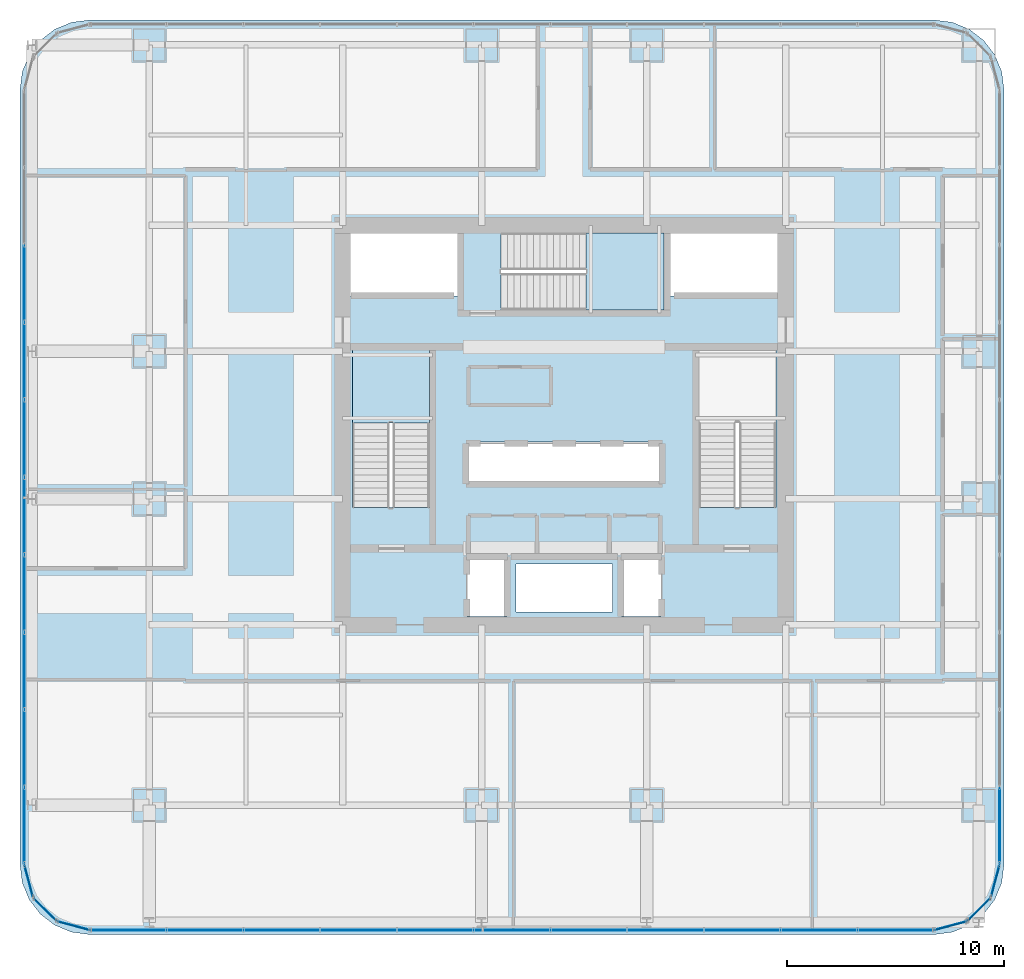
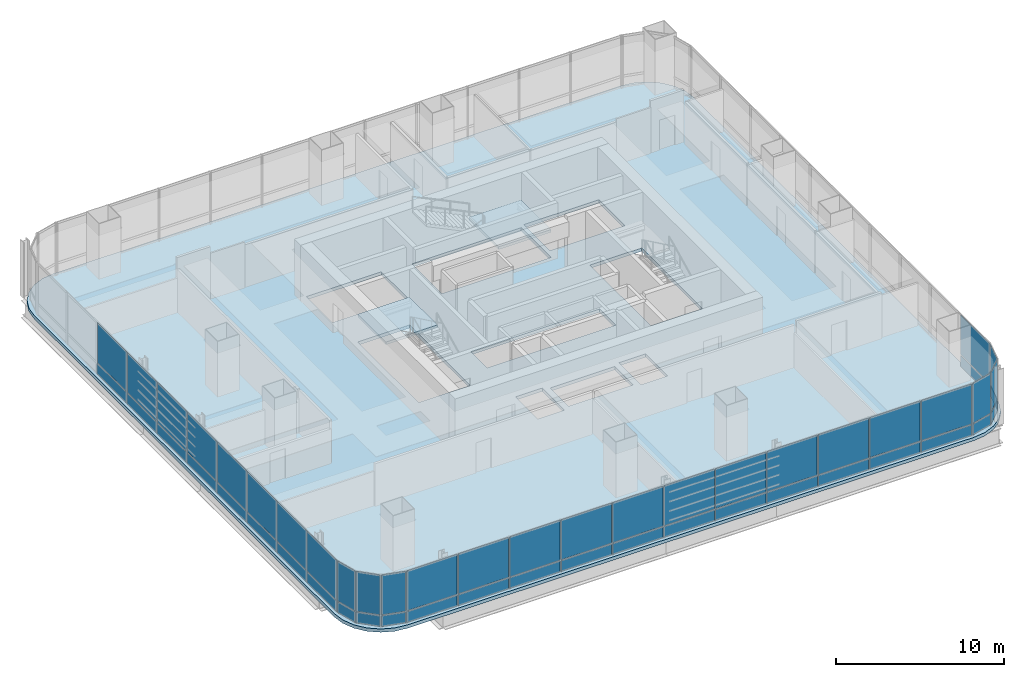
# One storey, part 26 of 36: 52 plates, 3 slabs, 11 elements without a shape of their own.
"""IFC4 building model written with IfcOpenShell, lengths in metres."""

import ifcopenshell
import ifcopenshell.guid

model = None  # the IFC model being written
_history = None  # IfcOwnerHistory: only IFC2X3 demands one
_inside = {}  # id of a spatial element -> (the spatial element, [elements in it])
_under = {}  # id of a project, library or spatial element -> (it, [spatial elements below it])
_declared = {}  # id of a project -> (the project, [libraries it declares])
_typed = {}  # id of a type object -> (the type object, [elements of that type])
_made_of = {}  # id of a material, layer set ... -> (it, [elements and type objects made of it])


def new_model(schema):
    """Start an empty IFC model of exactly this schema.

    Asked for "IFC4X3", IfcOpenShell would pick the latest addendum, in which some entities
    have other attributes; the version numbers below select the first issue.
    IFC2X3 requires an IfcOwnerHistory on every rooted entity: one is made here for all.
    """
    global model, _history
    if schema == "IFC4X3":
        model = ifcopenshell.file(schema_version=(4, 3, 0, 0))
    else:
        model = ifcopenshell.file(schema=schema)
    _inside.clear()
    _under.clear()
    _declared.clear()
    _typed.clear()
    _made_of.clear()
    _history = None
    if model.schema == "IFC2X3":
        org = make("IfcOrganization", Name="unknown")
        user = make(
            "IfcPersonAndOrganization",
            ThePerson=make("IfcPerson", FamilyName="unknown"),
            TheOrganization=org,
        )
        app = make(
            "IfcApplication",
            ApplicationDeveloper=org,
            Version="unknown",
            ApplicationFullName="unknown",
            ApplicationIdentifier="unknown",
        )
        _history = make(
            "IfcOwnerHistory",
            OwningUser=user,
            OwningApplication=app,
            ChangeAction="ADDED",
            CreationDate=0,
        )
    return model


def make(cls, **values):
    """One entity of the class cls with the attributes given. An attribute that is None is left unset."""
    return model.create_entity(
        cls, **{name: value for name, value in values.items() if value is not None}
    )


def rooted(cls, **values):
    """An entity with a GlobalId (a new one), such as an element, a storey or a relation."""
    return make(cls, GlobalId=ifcopenshell.guid.new(), OwnerHistory=_history, **values)


def si_unit(unit_type, name, prefix=None):
    """IfcSIUnit, for example si_unit("LENGTHUNIT", "METRE", prefix="MILLI")."""
    return make("IfcSIUnit", UnitType=unit_type, Prefix=prefix, Name=name)


def assignment(units):
    """IfcUnitAssignment: the units of a project."""
    return None if units is None else make("IfcUnitAssignment", Units=units)


def point(xyz):
    """IfcCartesianPoint."""
    return None if xyz is None else make("IfcCartesianPoint", Coordinates=xyz)


def direction(xyz):
    """IfcDirection."""
    return None if xyz is None else make("IfcDirection", DirectionRatios=xyz)


def frame(location, z_axis=None, x_axis=None):
    """IfcAxis2Placement3D, a coordinate frame: its origin and axes. An axis left out is left unset."""
    return make(
        "IfcAxis2Placement3D",
        Location=point(location),
        Axis=direction(z_axis),
        RefDirection=direction(x_axis),
    )


def frame_2d(location, x_axis=None):
    """IfcAxis2Placement2D, a coordinate frame in the plane: its origin and x axis."""
    return make(
        "IfcAxis2Placement2D", Location=point(location), RefDirection=direction(x_axis)
    )


def origin():
    """The frame at (0, 0, 0) with its axes left unset."""
    return frame((0.0, 0.0, 0.0))


def origin_2d():
    """The frame at (0, 0) in the plane with its x axis left unset."""
    return frame_2d((0.0, 0.0))


def place(relative_to, where):
    """IfcLocalPlacement: puts the frame where relative to a parent placement (None: the world)."""
    return make(
        "IfcLocalPlacement", PlacementRelTo=relative_to, RelativePlacement=where
    )


def context(
    kind, dimensions, precision=None, world=None, true_north=None, identifier=None
):
    """IfcGeometricRepresentationContext, for example the 3D "Model" context."""
    return make(
        "IfcGeometricRepresentationContext",
        ContextIdentifier=identifier,
        ContextType=kind,
        CoordinateSpaceDimension=dimensions,
        Precision=precision,
        WorldCoordinateSystem=world,
        TrueNorth=true_north,
    )


def subcontext(parent, identifier, kind, view, scale=None):
    """IfcGeometricRepresentationSubContext, for example "Body" below "Model"."""
    return make(
        "IfcGeometricRepresentationSubContext",
        ContextIdentifier=identifier,
        ContextType=kind,
        ParentContext=parent,
        TargetScale=scale,
        TargetView=view,
    )


def project(units=None, contexts=None):
    """IfcProject with its units and contexts."""
    return rooted(
        "IfcProject",
        Name="project",
        RepresentationContexts=contexts,
        UnitsInContext=assignment(units),
    )


def spatial(cls, under=None, at=None, **own):
    """A site, building, storey or space (cls), placed at a placement, below another one or the project."""
    s = rooted(cls, ObjectPlacement=at, **own)
    if under is not None:
        _under.setdefault(under.id(), (under, []))[1].append(s)
    return s


def polyline(points):
    """IfcPolyline through the points."""
    return make("IfcPolyline", Points=[point(p) for p in points])


def profile(cls, at=None, kind="AREA", **sizes):
    """A parametric profile (cls). Its sizes go by their IFC names, for example OverallWidth=200.0."""
    return make(cls, ProfileType=kind, Position=at, **sizes)


def rectangle(**sizes):
    """IfcRectangleProfileDef."""
    return profile("IfcRectangleProfileDef", **sizes)


def outline(outer, holes=None, kind="AREA"):
    """IfcArbitraryClosedProfileDef: a profile drawn as a closed curve; with holes, ...WithVoids."""
    if holes is None:
        return make("IfcArbitraryClosedProfileDef", ProfileType=kind, OuterCurve=outer)
    return make(
        "IfcArbitraryProfileDefWithVoids",
        ProfileType=kind,
        OuterCurve=outer,
        InnerCurves=holes,
    )


def extrude(swept, where, along, depth):
    """IfcExtrudedAreaSolid: the profile swept, set in the frame where, extruded along a direction by depth."""
    return make(
        "IfcExtrudedAreaSolid",
        SweptArea=swept,
        Position=where,
        ExtrudedDirection=direction(along),
        Depth=depth,
    )


def shape(context_of_items, identifier, shape_type, items):
    """IfcShapeRepresentation: the items that make up one representation, for example the "Body"."""
    return make(
        "IfcShapeRepresentation",
        ContextOfItems=context_of_items,
        RepresentationIdentifier=identifier,
        RepresentationType=shape_type,
        Items=items,
    )


def material(Name=None, Category=None):
    """IfcMaterial."""
    return make("IfcMaterial", Name=Name, Category=Category)


def layer(
    of_material, thickness, ventilated=None, Name=None, Category=None, Priority=None
):
    """IfcMaterialLayer: one layer of a wall or slab, of a material (None: an air gap)."""
    return make(
        "IfcMaterialLayer",
        Material=of_material,
        LayerThickness=thickness,
        IsVentilated=ventilated,
        Name=Name,
        Category=Category,
        Priority=Priority,
    )


def layer_set(layers, Name=None):
    """IfcMaterialLayerSet."""
    return make("IfcMaterialLayerSet", MaterialLayers=layers, LayerSetName=Name)


def made_of(thing, what):
    """Note that an element or type object is made of a material, layer set ...; save() writes the relation."""
    if what is not None:
        _made_of.setdefault(what.id(), (what, []))[1].append(thing)
    return thing


def type_object(cls, material=None, **own):
    """A type object (cls), such as IfcWallType, which elements share."""
    return made_of(rooted(cls, **own), material)


def element(
    cls,
    number,
    at=None,
    inside=None,
    cuts=None,
    type_object=None,
    material=None,
    context=None,
    identifier="Body",
    shape_type=None,
    held_by="IfcProductDefinitionShape",
    body=None,
    shapes=None,
    **own,
):
    """One element of the class cls, such as IfcWall. Its Tag is "e" and its number.

    at: its placement. inside: the storey or other place that contains it. cuts: it is an
    opening in that element (IfcRelVoidsElement). A single representation is given by context,
    identifier, shape_type and body (its items); several are given by shapes. held_by: the class
    of the entity that holds the representations. save() writes the other relations.
    """
    e = rooted(cls, Tag="e%d" % number, ObjectPlacement=at, **own)
    if body is not None:
        shapes = [shape(context, identifier, shape_type, body)]
    if shapes is not None:
        e.Representation = make(held_by, Representations=shapes)
    if inside is not None:
        _inside.setdefault(inside.id(), (inside, []))[1].append(e)
    if cuts is not None:
        rooted(
            "IfcRelVoidsElement", RelatingBuildingElement=cuts, RelatedOpeningElement=e
        )
    if type_object is not None:
        _typed.setdefault(type_object.id(), (type_object, []))[1].append(e)
    return made_of(e, material)


def aggregate(whole, parts):
    """IfcRelAggregates: a whole, such as a stair, and the parts it consists of."""
    return rooted("IfcRelAggregates", RelatingObject=whole, RelatedObjects=parts)


def save(model, path):
    """Write the relations noted so far, then the file.

    IfcRelAggregates (storeys below a building ...), IfcRelContainedInSpatialStructure (elements
    in a storey), IfcRelDefinesByType, IfcRelAssociatesMaterial and IfcRelDeclares: one each for
    every whole, place, type object, material and project.
    """
    for whole, parts in _under.values():
        aggregate(whole, parts)
    for where, things in _inside.values():
        rooted(
            "IfcRelContainedInSpatialStructure",
            RelatedElements=things,
            RelatingStructure=where,
        )
    for kind, things in _typed.values():
        rooted("IfcRelDefinesByType", RelatedObjects=things, RelatingType=kind)
    for what, things in _made_of.values():
        rooted("IfcRelAssociatesMaterial", RelatedObjects=things, RelatingMaterial=what)
    for by, libraries in _declared.values():
        rooted("IfcRelDeclares", RelatingContext=by, RelatedDefinitions=libraries)
    model.write(path)


model = new_model("IFC4")

# Units and contexts
model_context = context("Model", 3, precision=1e-05, world=origin(), true_north=direction((0.0, 1.0)))
body_context = subcontext(model_context, "Body", "Model", "MODEL_VIEW")
ifc_project = project(units=[si_unit("LENGTHUNIT", "METRE"), si_unit("AREAUNIT", "SQUARE_METRE"), si_unit("VOLUMEUNIT", "CUBIC_METRE"), si_unit("PLANEANGLEUNIT", "RADIAN"), si_unit("MASSUNIT", "GRAM", prefix="KILO")], contexts=[model_context])

# Site, building, storey
site_placement = place(None, origin())
site = spatial("IfcSite", under=ifc_project, at=site_placement, CompositionType="ELEMENT")
building_placement = place(site_placement, origin())
building = spatial("IfcBuilding", under=site, at=building_placement, Name="Punatoya Terracotta Tower", CompositionType="ELEMENT")
storey_placement = place(building_placement, frame((0.0, 0.0, 36.300048828125)))
storey = spatial("IfcBuildingStorey", under=building, at=storey_placement, Name="L07", CompositionType="ELEMENT", Elevation=36.300048828125)

# Curtain wall, plates
ifc_material_1 = material(Name="Aluminium 6063-T6 + Double Low-E Glass", Category="aluminium")
curtain_wall_type = type_object("IfcCurtainWallType", Name="CW-M1", PredefinedType="NOTDEFINED", material=ifc_material_1)
curtain_wall_1_placement = place(storey_placement, origin())
curtain_wall_1 = element("IfcCurtainWall", 1, at=curtain_wall_1_placement, inside=storey, type_object=curtain_wall_type, Name="L07 Curtain Wall CW-L07-S01-1", PredefinedType="NOTDEFINED")
ifc_material_2 = material(Name="Double Low-E Clear Vision Glass", Category="glass")
ifc_layer_1 = layer(ifc_material_2, 0.028076171875)
ifc_layer_set_1 = layer_set([ifc_layer_1], Name="Double Low-E Clear Vision Glass")
plate_type_1 = type_object("IfcPlateType", Name="PLT-GLZ-28", PredefinedType="CURTAIN_PANEL", material=ifc_layer_set_1)
plate_1_placement = place(storey_placement, frame((-20.06982421875, -23.25, 0.889892578125), z_axis=(0.0, 0.0, 1.0), x_axis=(1.0, 0.0, 0.0)))
plate_1 = element("IfcPlate", 2, at=plate_1_placement, type_object=plate_type_1, Name="CW-L07-S01-1 Vision Glass Panel 1", PredefinedType="CURTAIN_PANEL", context=body_context, shape_type="SweptSolid", body=[
    extrude(rectangle(XDim=3.448974609375, YDim=0.028076171875, at=origin_2d()), origin(), (0.0, 0.0, 1.0), 2.8798828125),
])
plate_2_placement = place(storey_placement, frame((-16.535888671875, -23.25, 0.889892578125), z_axis=(0.0, 0.0, 1.0), x_axis=(1.0, 0.0, 0.0)))
plate_2 = element("IfcPlate", 3, at=plate_2_placement, type_object=plate_type_1, Name="CW-L07-S01-1 Vision Glass Panel 2", PredefinedType="CURTAIN_PANEL", context=body_context, shape_type="SweptSolid", body=[
    extrude(rectangle(XDim=3.448974609375, YDim=0.028076171875, at=origin_2d()), origin(), (0.0, 0.0, 1.0), 2.8798828125),
])
plate_3_placement = place(storey_placement, frame((-13.001953125, -23.25, 0.889892578125), z_axis=(0.0, 0.0, 1.0), x_axis=(1.0, 0.0, 0.0)))
plate_3 = element("IfcPlate", 4, at=plate_3_placement, type_object=plate_type_1, Name="CW-L07-S01-1 Vision Glass Panel 3", PredefinedType="CURTAIN_PANEL", context=body_context, shape_type="SweptSolid", body=[
    extrude(rectangle(XDim=3.448974609375, YDim=0.028076171875, at=origin_2d()), origin(), (0.0, 0.0, 1.0), 2.8798828125),
])
plate_4_placement = place(storey_placement, frame((-9.468017578125, -23.25, 0.889892578125), z_axis=(0.0, 0.0, 1.0), x_axis=(1.0, 0.0, 0.0)))
plate_4 = element("IfcPlate", 5, at=plate_4_placement, type_object=plate_type_1, Name="CW-L07-S01-1 Vision Glass Panel 4", PredefinedType="CURTAIN_PANEL", context=body_context, shape_type="SweptSolid", body=[
    extrude(rectangle(XDim=3.448974609375, YDim=0.028076171875, at=origin_2d()), origin(), (0.0, 0.0, 1.0), 2.8798828125),
])
plate_5_placement = place(storey_placement, frame((-5.93408203125, -23.25, 0.889892578125), z_axis=(0.0, 0.0, 1.0), x_axis=(1.0, 0.0, 0.0)))
plate_5 = element("IfcPlate", 6, at=plate_5_placement, type_object=plate_type_1, Name="CW-L07-S01-1 Vision Glass Panel 5", PredefinedType="CURTAIN_PANEL", context=body_context, shape_type="SweptSolid", body=[
    extrude(rectangle(XDim=3.448974609375, YDim=0.028076171875, at=origin_2d()), origin(), (0.0, 0.0, 1.0), 2.8798828125),
])
plate_6_placement = place(storey_placement, frame((-2.39990234375, -23.25, 0.889892578125), z_axis=(0.0, 0.0, 1.0), x_axis=(1.0, 0.0, 0.0)))
plate_6 = element("IfcPlate", 7, at=plate_6_placement, type_object=plate_type_1, Name="CW-L07-S01-1 Vision Glass Panel 6", PredefinedType="CURTAIN_PANEL", context=body_context, shape_type="SweptSolid", body=[
    extrude(rectangle(XDim=3.448974609375, YDim=0.028076171875, at=origin_2d()), origin(), (0.0, 0.0, 1.0), 2.8798828125),
])
plate_7_placement = place(storey_placement, frame((1.134033203125, -23.25, 0.889892578125), z_axis=(0.0, 0.0, 1.0), x_axis=(1.0, 0.0, 0.0)))
plate_7 = element("IfcPlate", 8, at=plate_7_placement, type_object=plate_type_1, Name="CW-L07-S01-1 Vision Glass Panel 7", PredefinedType="CURTAIN_PANEL", context=body_context, shape_type="SweptSolid", body=[
    extrude(rectangle(XDim=3.448974609375, YDim=0.028076171875, at=origin_2d()), origin(), (0.0, 0.0, 1.0), 2.8798828125),
])
plate_8_placement = place(storey_placement, frame((4.66796875, -23.25, 0.889892578125), z_axis=(0.0, 0.0, 1.0), x_axis=(1.0, 0.0, 0.0)))
plate_8 = element("IfcPlate", 9, at=plate_8_placement, type_object=plate_type_1, Name="CW-L07-S01-1 Vision Glass Panel 8", PredefinedType="CURTAIN_PANEL", context=body_context, shape_type="SweptSolid", body=[
    extrude(rectangle(XDim=3.448974609375, YDim=0.028076171875, at=origin_2d()), origin(), (0.0, 0.0, 1.0), 2.8798828125),
])
plate_9_placement = place(storey_placement, frame((8.201904296875, -23.25, 0.889892578125), z_axis=(0.0, 0.0, 1.0), x_axis=(1.0, 0.0, 0.0)))
plate_9 = element("IfcPlate", 10, at=plate_9_placement, type_object=plate_type_1, Name="CW-L07-S01-1 Vision Glass Panel 9", PredefinedType="CURTAIN_PANEL", context=body_context, shape_type="SweptSolid", body=[
    extrude(rectangle(XDim=3.448974609375, YDim=0.028076171875, at=origin_2d()), origin(), (0.0, 0.0, 1.0), 2.8798828125),
])
plate_10_placement = place(storey_placement, frame((11.73583984375, -23.25, 0.889892578125), z_axis=(0.0, 0.0, 1.0), x_axis=(1.0, 0.0, 0.0)))
plate_10 = element("IfcPlate", 11, at=plate_10_placement, type_object=plate_type_1, Name="CW-L07-S01-1 Vision Glass Panel 10", PredefinedType="CURTAIN_PANEL", context=body_context, shape_type="SweptSolid", body=[
    extrude(rectangle(XDim=3.448974609375, YDim=0.028076171875, at=origin_2d()), origin(), (0.0, 0.0, 1.0), 2.8798828125),
])
plate_11_placement = place(storey_placement, frame((15.27001953125, -23.25, 0.889892578125), z_axis=(0.0, 0.0, 1.0), x_axis=(1.0, 0.0, 0.0)))
plate_11 = element("IfcPlate", 12, at=plate_11_placement, type_object=plate_type_1, Name="CW-L07-S01-1 Vision Glass Panel 11", PredefinedType="CURTAIN_PANEL", context=body_context, shape_type="SweptSolid", body=[
    extrude(rectangle(XDim=3.448974609375, YDim=0.028076171875, at=origin_2d()), origin(), (0.0, 0.0, 1.0), 2.8798828125),
])

# Curtain wall, plate
curtain_wall_2_placement = place(storey_placement, origin())
curtain_wall_2 = element("IfcCurtainWall", 13, at=curtain_wall_2_placement, inside=storey, type_object=curtain_wall_type, Name="L07 Curtain Wall CW-L07-CRN02", PredefinedType="NOTDEFINED")
plate_12_placement = place(storey_placement, frame((17.79296875, -23.04833984375, 0.889892578125), z_axis=(0.0, 0.0, 1.0), x_axis=(0.966213877436, 0.257741620719, 0.0)))
plate_12 = element("IfcPlate", 14, at=plate_12_placement, type_object=plate_type_1, Name="CW-L07-CRN02 Vision Glass Panel 1", PredefinedType="CURTAIN_PANEL", context=body_context, shape_type="SweptSolid", body=[
    extrude(rectangle(XDim=1.47998046875, YDim=0.028076171875, at=origin_2d()), origin(), (0.0, 0.0, 1.0), 2.8798828125),
])

curtain_wall_3_placement = place(storey_placement, origin())
curtain_wall_3 = element("IfcCurtainWall", 15, at=curtain_wall_3_placement, inside=storey, type_object=curtain_wall_type, Name="L07 Curtain Wall CW-L07-CRN03", PredefinedType="NOTDEFINED")
plate_13_placement = place(storey_placement, frame((19.097900390625, -22.2978515625, 0.889892578125), z_axis=(0.0, 0.0, 1.0), x_axis=(0.707106781187, 0.707106781187, 0.0)))
plate_13 = element("IfcPlate", 16, at=plate_13_placement, type_object=plate_type_1, Name="CW-L07-CRN03 Vision Glass Panel 1", PredefinedType="CURTAIN_PANEL", context=body_context, shape_type="SweptSolid", body=[
    extrude(rectangle(XDim=1.467041015625, YDim=0.028076171875, at=origin_2d()), origin(), (0.0, 0.0, 1.0), 2.8798828125),
])

curtain_wall_4_placement = place(storey_placement, origin())
curtain_wall_4 = element("IfcCurtainWall", 17, at=curtain_wall_4_placement, inside=storey, type_object=curtain_wall_type, Name="L07 Curtain Wall CW-L07-CRN04", PredefinedType="NOTDEFINED")
plate_14_placement = place(storey_placement, frame((19.848388671875, -20.992919921875, 0.889892578125), z_axis=(0.0, 0.0, 1.0), x_axis=(0.257741620719, 0.966213877436, 0.0)))
plate_14 = element("IfcPlate", 18, at=plate_14_placement, type_object=plate_type_1, Name="CW-L07-CRN04 Vision Glass Panel 1", PredefinedType="CURTAIN_PANEL", context=body_context, shape_type="SweptSolid", body=[
    extrude(rectangle(XDim=1.47998046875, YDim=0.028076171875, at=origin_2d()), origin(), (0.0, 0.0, 1.0), 2.8798828125),
])

curtain_wall_5_placement = place(storey_placement, origin())
curtain_wall_5 = element("IfcCurtainWall", 19, at=curtain_wall_5_placement, inside=storey, type_object=curtain_wall_type, Name="L07 Curtain Wall CW-L07-E05-1", PredefinedType="NOTDEFINED")
plate_15_placement = place(storey_placement, frame((20.050048828125, -18.453125, 0.889892578125), z_axis=(0.0, 0.0, 1.0), x_axis=(0.0, 1.0, 0.0)))
plate_15 = element("IfcPlate", 20, at=plate_15_placement, type_object=plate_type_1, Name="CW-L07-E05-1 Vision Glass Panel 1", PredefinedType="CURTAIN_PANEL", context=body_context, shape_type="SweptSolid", body=[
    extrude(rectangle(XDim=3.482421875, YDim=0.028076171875, at=origin_2d()), origin(), (0.0, 0.0, 1.0), 2.8798828125),
])

# Curtain wall, plates
curtain_wall_6_placement = place(storey_placement, origin())
curtain_wall_6 = element("IfcCurtainWall", 21, at=curtain_wall_6_placement, inside=storey, type_object=curtain_wall_type, Name="L07 Curtain Wall CW-L07-W13-1", PredefinedType="NOTDEFINED")
plate_16_placement = place(storey_placement, frame((-24.85009765625, 6.518310546875, 0.889892578125), z_axis=(0.0, 0.0, 1.0), x_axis=(0.0, -1.0, 0.0)))
plate_16 = element("IfcPlate", 22, at=plate_16_placement, type_object=plate_type_1, Name="CW-L07-W13-1 Vision Glass Panel 3", PredefinedType="CURTAIN_PANEL", context=body_context, shape_type="SweptSolid", body=[
    extrude(rectangle(XDim=3.482421875, YDim=0.028076171875, at=origin_2d()), origin(), (0.0, 0.0, 1.0), 2.8798828125),
])
plate_17_placement = place(storey_placement, frame((-24.85009765625, 2.951171875, 0.889892578125), z_axis=(0.0, 0.0, 1.0), x_axis=(0.0, -1.0, 0.0)))
plate_17 = element("IfcPlate", 23, at=plate_17_placement, type_object=plate_type_1, Name="CW-L07-W13-1 Vision Glass Panel 4", PredefinedType="CURTAIN_PANEL", context=body_context, shape_type="SweptSolid", body=[
    extrude(rectangle(XDim=3.482421875, YDim=0.028076171875, at=origin_2d()), origin(), (0.0, 0.0, 1.0), 2.8798828125),
])
plate_18_placement = place(storey_placement, frame((-24.85009765625, -0.6162109375, 0.889892578125), z_axis=(0.0, 0.0, 1.0), x_axis=(0.0, -1.0, 0.0)))
plate_18 = element("IfcPlate", 24, at=plate_18_placement, type_object=plate_type_1, Name="CW-L07-W13-1 Vision Glass Panel 5", PredefinedType="CURTAIN_PANEL", context=body_context, shape_type="SweptSolid", body=[
    extrude(rectangle(XDim=3.482421875, YDim=0.028076171875, at=origin_2d()), origin(), (0.0, 0.0, 1.0), 2.8798828125),
])
plate_19_placement = place(storey_placement, frame((-24.85009765625, -4.18359375, 0.889892578125), z_axis=(0.0, 0.0, 1.0), x_axis=(0.0, -1.0, 0.0)))
plate_19 = element("IfcPlate", 25, at=plate_19_placement, type_object=plate_type_1, Name="CW-L07-W13-1 Vision Glass Panel 6", PredefinedType="CURTAIN_PANEL", context=body_context, shape_type="SweptSolid", body=[
    extrude(rectangle(XDim=3.482421875, YDim=0.028076171875, at=origin_2d()), origin(), (0.0, 0.0, 1.0), 2.8798828125),
])
plate_20_placement = place(storey_placement, frame((-24.85009765625, -7.751220703125, 0.889892578125), z_axis=(0.0, 0.0, 1.0), x_axis=(0.0, -1.0, 0.0)))
plate_20 = element("IfcPlate", 26, at=plate_20_placement, type_object=plate_type_1, Name="CW-L07-W13-1 Vision Glass Panel 7", PredefinedType="CURTAIN_PANEL", context=body_context, shape_type="SweptSolid", body=[
    extrude(rectangle(XDim=3.482421875, YDim=0.028076171875, at=origin_2d()), origin(), (0.0, 0.0, 1.0), 2.8798828125),
])
plate_21_placement = place(storey_placement, frame((-24.85009765625, -11.318359375, 0.889892578125), z_axis=(0.0, 0.0, 1.0), x_axis=(0.0, -1.0, 0.0)))
plate_21 = element("IfcPlate", 27, at=plate_21_placement, type_object=plate_type_1, Name="CW-L07-W13-1 Vision Glass Panel 8", PredefinedType="CURTAIN_PANEL", context=body_context, shape_type="SweptSolid", body=[
    extrude(rectangle(XDim=3.482421875, YDim=0.028076171875, at=origin_2d()), origin(), (0.0, 0.0, 1.0), 2.8798828125),
])
plate_22_placement = place(storey_placement, frame((-24.85009765625, -14.8857421875, 0.889892578125), z_axis=(0.0, 0.0, 1.0), x_axis=(0.0, -1.0, 0.0)))
plate_22 = element("IfcPlate", 28, at=plate_22_placement, type_object=plate_type_1, Name="CW-L07-W13-1 Vision Glass Panel 9", PredefinedType="CURTAIN_PANEL", context=body_context, shape_type="SweptSolid", body=[
    extrude(rectangle(XDim=3.482421875, YDim=0.028076171875, at=origin_2d()), origin(), (0.0, 0.0, 1.0), 2.8798828125),
])
plate_23_placement = place(storey_placement, frame((-24.85009765625, -18.453125, 0.889892578125), z_axis=(0.0, 0.0, 1.0), x_axis=(0.0, -1.0, 0.0)))
plate_23 = element("IfcPlate", 29, at=plate_23_placement, type_object=plate_type_1, Name="CW-L07-W13-1 Vision Glass Panel 10", PredefinedType="CURTAIN_PANEL", context=body_context, shape_type="SweptSolid", body=[
    extrude(rectangle(XDim=3.482421875, YDim=0.028076171875, at=origin_2d()), origin(), (0.0, 0.0, 1.0), 2.8798828125),
])

# Curtain wall, plate
curtain_wall_7_placement = place(storey_placement, origin())
curtain_wall_7 = element("IfcCurtainWall", 30, at=curtain_wall_7_placement, inside=storey, type_object=curtain_wall_type, Name="L07 Curtain Wall CW-L07-CRN14", PredefinedType="NOTDEFINED")
plate_24_placement = place(storey_placement, frame((-24.648193359375, -20.992919921875, 0.889892578125), z_axis=(0.0, 0.0, 1.0), x_axis=(0.257741620719, -0.966213877436, 0.0)))
plate_24 = element("IfcPlate", 31, at=plate_24_placement, type_object=plate_type_1, Name="CW-L07-CRN14 Vision Glass Panel 1", PredefinedType="CURTAIN_PANEL", context=body_context, shape_type="SweptSolid", body=[
    extrude(rectangle(XDim=1.47998046875, YDim=0.028076171875, at=origin_2d()), origin(), (0.0, 0.0, 1.0), 2.8798828125),
])

curtain_wall_8_placement = place(storey_placement, origin())
curtain_wall_8 = element("IfcCurtainWall", 32, at=curtain_wall_8_placement, inside=storey, type_object=curtain_wall_type, Name="L07 Curtain Wall CW-L07-CRN15", PredefinedType="NOTDEFINED")
plate_25_placement = place(storey_placement, frame((-23.89794921875, -22.2978515625, 0.889892578125), z_axis=(0.0, 0.0, 1.0), x_axis=(0.707106781187, -0.707106781187, 0.0)))
plate_25 = element("IfcPlate", 33, at=plate_25_placement, type_object=plate_type_1, Name="CW-L07-CRN15 Vision Glass Panel 1", PredefinedType="CURTAIN_PANEL", context=body_context, shape_type="SweptSolid", body=[
    extrude(rectangle(XDim=1.467041015625, YDim=0.028076171875, at=origin_2d()), origin(), (0.0, 0.0, 1.0), 2.8798828125),
])

curtain_wall_9_placement = place(storey_placement, origin())
curtain_wall_9 = element("IfcCurtainWall", 34, at=curtain_wall_9_placement, inside=storey, type_object=curtain_wall_type, Name="L07 Curtain Wall CW-L07-CRN16", PredefinedType="NOTDEFINED")
plate_26_placement = place(storey_placement, frame((-22.593017578125, -23.04833984375, 0.889892578125), z_axis=(0.0, 0.0, 1.0), x_axis=(0.966213877436, -0.257741620719, 0.0)))
plate_26 = element("IfcPlate", 35, at=plate_26_placement, type_object=plate_type_1, Name="CW-L07-CRN16 Vision Glass Panel 1", PredefinedType="CURTAIN_PANEL", context=body_context, shape_type="SweptSolid", body=[
    extrude(rectangle(XDim=1.47998046875, YDim=0.028076171875, at=origin_2d()), origin(), (0.0, 0.0, 1.0), 2.8798828125),
])

# Plate
ifc_material_3 = material(Name="Insulated Terracotta-Backed Spandrel Panel", Category="masonry")
ifc_layer_2 = layer(ifc_material_3, 0.044921875)
ifc_layer_set_2 = layer_set([ifc_layer_2], Name="Insulated Terracotta-Backed Spandrel Panel")
plate_type_2 = type_object("IfcPlateType", Name="PLT-SPN-45", PredefinedType="CURTAIN_PANEL", material=ifc_layer_set_2)
plate_27_placement = place(storey_placement, frame((-20.06982421875, -23.25, 0.0400390625), z_axis=(0.0, 0.0, 1.0), x_axis=(1.0, 0.0, 0.0)))
plate_27 = element("IfcPlate", 36, at=plate_27_placement, type_object=plate_type_2, Name="CW-L07-S01-1 Terracotta Spandrel Panel 1", PredefinedType="CURTAIN_PANEL", context=body_context, shape_type="SweptSolid", body=[
    extrude(rectangle(XDim=3.448974609375, YDim=0.044921875, at=origin_2d()), origin(), (0.0, 0.0, 1.0), 0.77490234375),
])

plate_28_placement = place(storey_placement, frame((-16.535888671875, -23.25, 0.0400390625), z_axis=(0.0, 0.0, 1.0), x_axis=(1.0, 0.0, 0.0)))
plate_28 = element("IfcPlate", 37, at=plate_28_placement, type_object=plate_type_2, Name="CW-L07-S01-1 Terracotta Spandrel Panel 2", PredefinedType="CURTAIN_PANEL", context=body_context, shape_type="SweptSolid", body=[
    extrude(rectangle(XDim=3.448974609375, YDim=0.044921875, at=origin_2d()), origin(), (0.0, 0.0, 1.0), 0.77490234375),
])

plate_29_placement = place(storey_placement, frame((-13.001953125, -23.25, 0.0400390625), z_axis=(0.0, 0.0, 1.0), x_axis=(1.0, 0.0, 0.0)))
plate_29 = element("IfcPlate", 38, at=plate_29_placement, type_object=plate_type_2, Name="CW-L07-S01-1 Terracotta Spandrel Panel 3", PredefinedType="CURTAIN_PANEL", context=body_context, shape_type="SweptSolid", body=[
    extrude(rectangle(XDim=3.448974609375, YDim=0.044921875, at=origin_2d()), origin(), (0.0, 0.0, 1.0), 0.77490234375),
])

plate_30_placement = place(storey_placement, frame((-9.468017578125, -23.25, 0.0400390625), z_axis=(0.0, 0.0, 1.0), x_axis=(1.0, 0.0, 0.0)))
plate_30 = element("IfcPlate", 39, at=plate_30_placement, type_object=plate_type_2, Name="CW-L07-S01-1 Terracotta Spandrel Panel 4", PredefinedType="CURTAIN_PANEL", context=body_context, shape_type="SweptSolid", body=[
    extrude(rectangle(XDim=3.448974609375, YDim=0.044921875, at=origin_2d()), origin(), (0.0, 0.0, 1.0), 0.77490234375),
])

plate_31_placement = place(storey_placement, frame((-5.93408203125, -23.25, 0.0400390625), z_axis=(0.0, 0.0, 1.0), x_axis=(1.0, 0.0, 0.0)))
plate_31 = element("IfcPlate", 40, at=plate_31_placement, type_object=plate_type_2, Name="CW-L07-S01-1 Terracotta Spandrel Panel 5", PredefinedType="CURTAIN_PANEL", context=body_context, shape_type="SweptSolid", body=[
    extrude(rectangle(XDim=3.448974609375, YDim=0.044921875, at=origin_2d()), origin(), (0.0, 0.0, 1.0), 0.77490234375),
])

plate_32_placement = place(storey_placement, frame((-2.39990234375, -23.25, 0.0400390625), z_axis=(0.0, 0.0, 1.0), x_axis=(1.0, 0.0, 0.0)))
plate_32 = element("IfcPlate", 41, at=plate_32_placement, type_object=plate_type_2, Name="CW-L07-S01-1 Terracotta Spandrel Panel 6", PredefinedType="CURTAIN_PANEL", context=body_context, shape_type="SweptSolid", body=[
    extrude(rectangle(XDim=3.448974609375, YDim=0.044921875, at=origin_2d()), origin(), (0.0, 0.0, 1.0), 0.77490234375),
])

plate_33_placement = place(storey_placement, frame((1.134033203125, -23.25, 0.0400390625), z_axis=(0.0, 0.0, 1.0), x_axis=(1.0, 0.0, 0.0)))
plate_33 = element("IfcPlate", 42, at=plate_33_placement, type_object=plate_type_2, Name="CW-L07-S01-1 Terracotta Spandrel Panel 7", PredefinedType="CURTAIN_PANEL", context=body_context, shape_type="SweptSolid", body=[
    extrude(rectangle(XDim=3.448974609375, YDim=0.044921875, at=origin_2d()), origin(), (0.0, 0.0, 1.0), 0.77490234375),
])

plate_34_placement = place(storey_placement, frame((4.66796875, -23.25, 0.0400390625), z_axis=(0.0, 0.0, 1.0), x_axis=(1.0, 0.0, 0.0)))
plate_34 = element("IfcPlate", 43, at=plate_34_placement, type_object=plate_type_2, Name="CW-L07-S01-1 Terracotta Spandrel Panel 8", PredefinedType="CURTAIN_PANEL", context=body_context, shape_type="SweptSolid", body=[
    extrude(rectangle(XDim=3.448974609375, YDim=0.044921875, at=origin_2d()), origin(), (0.0, 0.0, 1.0), 0.77490234375),
])

plate_35_placement = place(storey_placement, frame((8.201904296875, -23.25, 0.0400390625), z_axis=(0.0, 0.0, 1.0), x_axis=(1.0, 0.0, 0.0)))
plate_35 = element("IfcPlate", 44, at=plate_35_placement, type_object=plate_type_2, Name="CW-L07-S01-1 Terracotta Spandrel Panel 9", PredefinedType="CURTAIN_PANEL", context=body_context, shape_type="SweptSolid", body=[
    extrude(rectangle(XDim=3.448974609375, YDim=0.044921875, at=origin_2d()), origin(), (0.0, 0.0, 1.0), 0.77490234375),
])

plate_36_placement = place(storey_placement, frame((11.73583984375, -23.25, 0.0400390625), z_axis=(0.0, 0.0, 1.0), x_axis=(1.0, 0.0, 0.0)))
plate_36 = element("IfcPlate", 45, at=plate_36_placement, type_object=plate_type_2, Name="CW-L07-S01-1 Terracotta Spandrel Panel 10", PredefinedType="CURTAIN_PANEL", context=body_context, shape_type="SweptSolid", body=[
    extrude(rectangle(XDim=3.448974609375, YDim=0.044921875, at=origin_2d()), origin(), (0.0, 0.0, 1.0), 0.77490234375),
])

plate_37_placement = place(storey_placement, frame((15.27001953125, -23.25, 0.0400390625), z_axis=(0.0, 0.0, 1.0), x_axis=(1.0, 0.0, 0.0)))
plate_37 = element("IfcPlate", 46, at=plate_37_placement, type_object=plate_type_2, Name="CW-L07-S01-1 Terracotta Spandrel Panel 11", PredefinedType="CURTAIN_PANEL", context=body_context, shape_type="SweptSolid", body=[
    extrude(rectangle(XDim=3.448974609375, YDim=0.044921875, at=origin_2d()), origin(), (0.0, 0.0, 1.0), 0.77490234375),
])

aggregate(curtain_wall_1, [plate_27, plate_1, plate_28, plate_2, plate_29, plate_3, plate_30, plate_4, plate_31, plate_5, plate_32, plate_6, plate_33, plate_7, plate_34, plate_8, plate_35, plate_9, plate_36, plate_10, plate_37, plate_11])

plate_38_placement = place(storey_placement, frame((17.79296875, -23.04833984375, 0.0400390625), z_axis=(0.0, 0.0, 1.0), x_axis=(0.966213877436, 0.257741620719, 0.0)))
plate_38 = element("IfcPlate", 47, at=plate_38_placement, type_object=plate_type_2, Name="CW-L07-CRN02 Terracotta Spandrel Panel 1", PredefinedType="CURTAIN_PANEL", context=body_context, shape_type="SweptSolid", body=[
    extrude(rectangle(XDim=1.47998046875, YDim=0.044921875, at=origin_2d()), origin(), (0.0, 0.0, 1.0), 0.77490234375),
])

aggregate(curtain_wall_2, [plate_38, plate_12])

plate_39_placement = place(storey_placement, frame((19.097900390625, -22.2978515625, 0.0400390625), z_axis=(0.0, 0.0, 1.0), x_axis=(0.707106781187, 0.707106781187, 0.0)))
plate_39 = element("IfcPlate", 48, at=plate_39_placement, type_object=plate_type_2, Name="CW-L07-CRN03 Terracotta Spandrel Panel 1", PredefinedType="CURTAIN_PANEL", context=body_context, shape_type="SweptSolid", body=[
    extrude(rectangle(XDim=1.467041015625, YDim=0.044921875, at=origin_2d()), origin(), (0.0, 0.0, 1.0), 0.77490234375),
])

aggregate(curtain_wall_3, [plate_39, plate_13])

plate_40_placement = place(storey_placement, frame((19.848388671875, -20.992919921875, 0.0400390625), z_axis=(0.0, 0.0, 1.0), x_axis=(0.257741620719, 0.966213877436, 0.0)))
plate_40 = element("IfcPlate", 49, at=plate_40_placement, type_object=plate_type_2, Name="CW-L07-CRN04 Terracotta Spandrel Panel 1", PredefinedType="CURTAIN_PANEL", context=body_context, shape_type="SweptSolid", body=[
    extrude(rectangle(XDim=1.47998046875, YDim=0.044921875, at=origin_2d()), origin(), (0.0, 0.0, 1.0), 0.77490234375),
])

aggregate(curtain_wall_4, [plate_40, plate_14])

plate_41_placement = place(storey_placement, frame((20.050048828125, -18.453125, 0.0400390625), z_axis=(0.0, 0.0, 1.0), x_axis=(0.0, 1.0, 0.0)))
plate_41 = element("IfcPlate", 50, at=plate_41_placement, type_object=plate_type_2, Name="CW-L07-E05-1 Terracotta Spandrel Panel 1", PredefinedType="CURTAIN_PANEL", context=body_context, shape_type="SweptSolid", body=[
    extrude(rectangle(XDim=3.482421875, YDim=0.044921875, at=origin_2d()), origin(), (0.0, 0.0, 1.0), 0.77490234375),
])

aggregate(curtain_wall_5, [plate_41, plate_15])

plate_42_placement = place(storey_placement, frame((-24.85009765625, 6.518310546875, 0.0400390625), z_axis=(0.0, 0.0, 1.0), x_axis=(0.0, -1.0, 0.0)))
plate_42 = element("IfcPlate", 51, at=plate_42_placement, type_object=plate_type_2, Name="CW-L07-W13-1 Terracotta Spandrel Panel 3", PredefinedType="CURTAIN_PANEL", context=body_context, shape_type="SweptSolid", body=[
    extrude(rectangle(XDim=3.482421875, YDim=0.044921875, at=origin_2d()), origin(), (0.0, 0.0, 1.0), 0.77490234375),
])

plate_43_placement = place(storey_placement, frame((-24.85009765625, 2.951171875, 0.0400390625), z_axis=(0.0, 0.0, 1.0), x_axis=(0.0, -1.0, 0.0)))
plate_43 = element("IfcPlate", 52, at=plate_43_placement, type_object=plate_type_2, Name="CW-L07-W13-1 Terracotta Spandrel Panel 4", PredefinedType="CURTAIN_PANEL", context=body_context, shape_type="SweptSolid", body=[
    extrude(rectangle(XDim=3.482421875, YDim=0.044921875, at=origin_2d()), origin(), (0.0, 0.0, 1.0), 0.77490234375),
])

plate_44_placement = place(storey_placement, frame((-24.85009765625, -0.6162109375, 0.0400390625), z_axis=(0.0, 0.0, 1.0), x_axis=(0.0, -1.0, 0.0)))
plate_44 = element("IfcPlate", 53, at=plate_44_placement, type_object=plate_type_2, Name="CW-L07-W13-1 Terracotta Spandrel Panel 5", PredefinedType="CURTAIN_PANEL", context=body_context, shape_type="SweptSolid", body=[
    extrude(rectangle(XDim=3.482421875, YDim=0.044921875, at=origin_2d()), origin(), (0.0, 0.0, 1.0), 0.77490234375),
])

plate_45_placement = place(storey_placement, frame((-24.85009765625, -4.18359375, 0.0400390625), z_axis=(0.0, 0.0, 1.0), x_axis=(0.0, -1.0, 0.0)))
plate_45 = element("IfcPlate", 54, at=plate_45_placement, type_object=plate_type_2, Name="CW-L07-W13-1 Terracotta Spandrel Panel 6", PredefinedType="CURTAIN_PANEL", context=body_context, shape_type="SweptSolid", body=[
    extrude(rectangle(XDim=3.482421875, YDim=0.044921875, at=origin_2d()), origin(), (0.0, 0.0, 1.0), 0.77490234375),
])

plate_46_placement = place(storey_placement, frame((-24.85009765625, -7.751220703125, 0.0400390625), z_axis=(0.0, 0.0, 1.0), x_axis=(0.0, -1.0, 0.0)))
plate_46 = element("IfcPlate", 55, at=plate_46_placement, type_object=plate_type_2, Name="CW-L07-W13-1 Terracotta Spandrel Panel 7", PredefinedType="CURTAIN_PANEL", context=body_context, shape_type="SweptSolid", body=[
    extrude(rectangle(XDim=3.482421875, YDim=0.044921875, at=origin_2d()), origin(), (0.0, 0.0, 1.0), 0.77490234375),
])

plate_47_placement = place(storey_placement, frame((-24.85009765625, -11.318359375, 0.0400390625), z_axis=(0.0, 0.0, 1.0), x_axis=(0.0, -1.0, 0.0)))
plate_47 = element("IfcPlate", 56, at=plate_47_placement, type_object=plate_type_2, Name="CW-L07-W13-1 Terracotta Spandrel Panel 8", PredefinedType="CURTAIN_PANEL", context=body_context, shape_type="SweptSolid", body=[
    extrude(rectangle(XDim=3.482421875, YDim=0.044921875, at=origin_2d()), origin(), (0.0, 0.0, 1.0), 0.77490234375),
])

plate_48_placement = place(storey_placement, frame((-24.85009765625, -14.8857421875, 0.0400390625), z_axis=(0.0, 0.0, 1.0), x_axis=(0.0, -1.0, 0.0)))
plate_48 = element("IfcPlate", 57, at=plate_48_placement, type_object=plate_type_2, Name="CW-L07-W13-1 Terracotta Spandrel Panel 9", PredefinedType="CURTAIN_PANEL", context=body_context, shape_type="SweptSolid", body=[
    extrude(rectangle(XDim=3.482421875, YDim=0.044921875, at=origin_2d()), origin(), (0.0, 0.0, 1.0), 0.77490234375),
])

plate_49_placement = place(storey_placement, frame((-24.85009765625, -18.453125, 0.0400390625), z_axis=(0.0, 0.0, 1.0), x_axis=(0.0, -1.0, 0.0)))
plate_49 = element("IfcPlate", 58, at=plate_49_placement, type_object=plate_type_2, Name="CW-L07-W13-1 Terracotta Spandrel Panel 10", PredefinedType="CURTAIN_PANEL", context=body_context, shape_type="SweptSolid", body=[
    extrude(rectangle(XDim=3.482421875, YDim=0.044921875, at=origin_2d()), origin(), (0.0, 0.0, 1.0), 0.77490234375),
])

aggregate(curtain_wall_6, [plate_42, plate_16, plate_43, plate_17, plate_44, plate_18, plate_45, plate_19, plate_46, plate_20, plate_47, plate_21, plate_48, plate_22, plate_49, plate_23])

plate_50_placement = place(storey_placement, frame((-24.648193359375, -20.992919921875, 0.0400390625), z_axis=(0.0, 0.0, 1.0), x_axis=(0.257741620719, -0.966213877436, 0.0)))
plate_50 = element("IfcPlate", 59, at=plate_50_placement, type_object=plate_type_2, Name="CW-L07-CRN14 Terracotta Spandrel Panel 1", PredefinedType="CURTAIN_PANEL", context=body_context, shape_type="SweptSolid", body=[
    extrude(rectangle(XDim=1.47998046875, YDim=0.044921875, at=origin_2d()), origin(), (0.0, 0.0, 1.0), 0.77490234375),
])

aggregate(curtain_wall_7, [plate_50, plate_24])

plate_51_placement = place(storey_placement, frame((-23.89794921875, -22.2978515625, 0.0400390625), z_axis=(0.0, 0.0, 1.0), x_axis=(0.707106781187, -0.707106781187, 0.0)))
plate_51 = element("IfcPlate", 60, at=plate_51_placement, type_object=plate_type_2, Name="CW-L07-CRN15 Terracotta Spandrel Panel 1", PredefinedType="CURTAIN_PANEL", context=body_context, shape_type="SweptSolid", body=[
    extrude(rectangle(XDim=1.467041015625, YDim=0.044921875, at=origin_2d()), origin(), (0.0, 0.0, 1.0), 0.77490234375),
])

aggregate(curtain_wall_8, [plate_51, plate_25])

plate_52_placement = place(storey_placement, frame((-22.593017578125, -23.04833984375, 0.0400390625), z_axis=(0.0, 0.0, 1.0), x_axis=(0.966213877436, -0.257741620719, 0.0)))
plate_52 = element("IfcPlate", 61, at=plate_52_placement, type_object=plate_type_2, Name="CW-L07-CRN16 Terracotta Spandrel Panel 1", PredefinedType="CURTAIN_PANEL", context=body_context, shape_type="SweptSolid", body=[
    extrude(rectangle(XDim=1.47998046875, YDim=0.044921875, at=origin_2d()), origin(), (0.0, 0.0, 1.0), 0.77490234375),
])

aggregate(curtain_wall_9, [plate_52, plate_26])

# Stair, slab
ifc_material_4 = material(Name="Concrete C40/50", Category="concrete")
stair_type_1 = type_object("IfcStairType", Name="STR-TER-1450", PredefinedType="HALF_TURN_STAIR", material=ifc_material_4)
stair_1_placement = place(storey_placement, origin())
stair_1 = element("IfcStair", 62, at=stair_1_placement, inside=storey, type_object=stair_type_1, Name="L07 Protected Core Exit Stair ST-3", PredefinedType="HALF_TURN_STAIR")
ifc_layer_3 = layer(ifc_material_4, 0.1650390625)
ifc_layer_set_3 = layer_set([ifc_layer_3], Name="Concrete C40/50")
slab_type_1 = type_object("IfcSlabType", Name="SLB-LND-165", PredefinedType="LANDING", material=ifc_layer_set_3)
slab_1_placement = place(storey_placement, frame((0.0, 0.0, 1.824951171875)))
slab_1 = element("IfcSlab", 63, at=slab_1_placement, type_object=slab_type_1, Name="ST-3 landing 1", PredefinedType="LANDING", context=body_context, shape_type="SweptSolid", body=[
    extrude(outline(polyline([(1.0, 5.300048828125), (4.60009765625, 5.300048828125), (4.60009765625, 8.85009765625), (1.0, 8.85009765625), (1.0, 5.300048828125)])), origin(), (0.0, 0.0, 1.0), 0.199951171875),
])
aggregate(stair_1, [slab_1])

stair_type_2 = type_object("IfcStairType", Name="STR-CORE-1550", PredefinedType="HALF_TURN_STAIR", material=ifc_material_4)
stair_2_placement = place(storey_placement, origin())
stair_2 = element("IfcStair", 64, at=stair_2_placement, inside=storey, type_object=stair_type_2, Name="L07 Protected Core Exit Stair ST-1", PredefinedType="HALF_TURN_STAIR")
ifc_layer_4 = layer(ifc_material_4, 0.179931640625)
ifc_layer_set_4 = layer_set([ifc_layer_4], Name="Concrete C40/50")
slab_type_2 = type_object("IfcSlabType", Name="SLB-LND-180", PredefinedType="LANDING", material=ifc_layer_set_4)
slab_2_placement = place(storey_placement, frame((0.0, 0.0, 1.824951171875)))
slab_2 = element("IfcSlab", 65, at=slab_2_placement, type_object=slab_type_2, Name="ST-1 landing 1", PredefinedType="LANDING", context=body_context, shape_type="SweptSolid", body=[
    extrude(outline(polyline([(-6.199951171875, 0.10009765625), (-6.199951171875, 3.449951171875), (-9.75, 3.449951171875), (-9.75, 0.10009765625), (-6.199951171875, 0.10009765625)])), origin(), (0.0, 0.0, 1.0), 0.199951171875),
])
aggregate(stair_2, [slab_2])

# Slab
ifc_layer_5 = layer(ifc_material_4, 0.239990234375)
ifc_layer_set_5 = layer_set([ifc_layer_5], Name="Concrete C40/50")
slab_type_3 = type_object("IfcSlabType", Name="SLB-OFF-240", PredefinedType="FLOOR", material=ifc_layer_set_5)
slab_3_placement = place(storey_placement, frame((0.0, 0.0, -0.239990234375)))
element("IfcSlab", 66, at=slab_3_placement, inside=storey, type_object=slab_type_3, Name="L07 Structural Floor Slab", PredefinedType="FLOOR", context=body_context, shape_type="SweptSolid", body=[
    extrude(outline(polyline([(-21.85009765625, -23.449951171875), (-22.67822265625, -23.341064453125), (-23.449951171875, -23.021240234375), (-24.11279296875, -22.5126953125), (-24.621337890625, -21.85009765625), (-24.94091796875, -21.078125), (-25.050048828125, -20.25), (-25.050048828125, 15.449951171875), (-24.94091796875, 16.2783203125), (-24.621337890625, 17.050048828125), (-24.11279296875, 17.712646484375), (-23.449951171875, 18.22119140625), (-22.67822265625, 18.541015625), (-21.85009765625, 18.64990234375), (17.050048828125, 18.64990234375), (17.878173828125, 18.541015625), (18.64990234375, 18.22119140625), (19.312744140625, 17.712646484375), (19.8212890625, 17.050048828125), (20.14111328125, 16.2783203125), (20.25, 15.449951171875), (20.25, -20.25), (20.14111328125, -21.078125), (19.8212890625, -21.85009765625), (19.312744140625, -22.5126953125), (18.64990234375, -23.021240234375), (17.878173828125, -23.341064453125), (17.050048828125, -23.449951171875), (-21.85009765625, -23.449951171875)]), holes=[polyline([(-2.6298828125, -6.179931640625), (-4.469970703125, -6.179931640625), (-4.469970703125, -8.820068359375), (-2.6298828125, -8.820068359375), (-2.6298828125, -6.179931640625)]), polyline([(0.02001953125, -8.594970703125), (2.219970703125, -8.594970703125), (2.219970703125, -6.405029296875), (0.02001953125, -6.405029296875), (-0.02001953125, -6.405029296875), (-2.219970703125, -6.405029296875), (-2.219970703125, -8.594970703125), (-0.02001953125, -8.594970703125), (0.02001953125, -8.594970703125)]), polyline([(-2.219970703125, -2.719970703125), (-2.179931640625, -2.719970703125), (-0.02001953125, -2.719970703125), (0.02001953125, -2.719970703125), (2.179931640625, -2.719970703125), (2.219970703125, -2.719970703125), (4.419921875, -2.719970703125), (4.419921875, -0.780029296875), (2.219970703125, -0.780029296875), (2.179931640625, -0.780029296875), (0.02001953125, -0.780029296875), (-0.02001953125, -0.780029296875), (-2.179931640625, -0.780029296875), (-2.219970703125, -0.780029296875), (-4.419921875, -0.780029296875), (-4.419921875, -2.719970703125), (-2.219970703125, -2.719970703125)]), polyline([(-6.199951171875, 3.449951171875), (-9.75, 3.449951171875), (-9.75, -3.79931640625), (-6.199951171875, -3.79931640625), (-6.199951171875, 3.449951171875)]), polyline([(4.60009765625, 5.300048828125), (4.60009765625, 8.85009765625), (-2.899169921875, 8.85009765625), (-2.899169921875, 5.300048828125), (4.60009765625, 5.300048828125)]), polyline([(-4.89990234375, 9.050048828125), (-10.050048828125, 9.050048828125), (-10.050048828125, 5.949951171875), (-4.89990234375, 5.949951171875), (-4.89990234375, 9.050048828125)]), polyline([(4.469970703125, -8.820068359375), (4.469970703125, -6.179931640625), (2.6298828125, -6.179931640625), (2.6298828125, -8.820068359375), (4.469970703125, -8.820068359375)]), polyline([(9.75, 3.449951171875), (6.199951171875, 3.449951171875), (6.199951171875, -3.79931640625), (9.75, -3.79931640625), (9.75, 3.449951171875)]), polyline([(10.050048828125, 5.949951171875), (10.050048828125, 9.050048828125), (4.89990234375, 9.050048828125), (4.89990234375, 5.949951171875), (10.050048828125, 5.949951171875)])]), origin(), (0.0, 0.0, 1.0), 0.239990234375),
])

save(model, "model.ifc")
